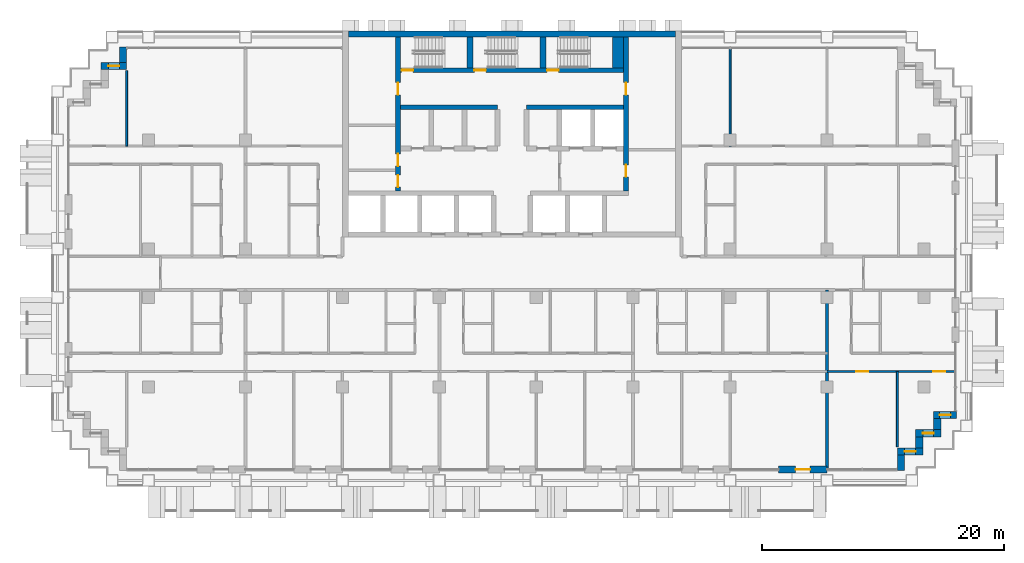
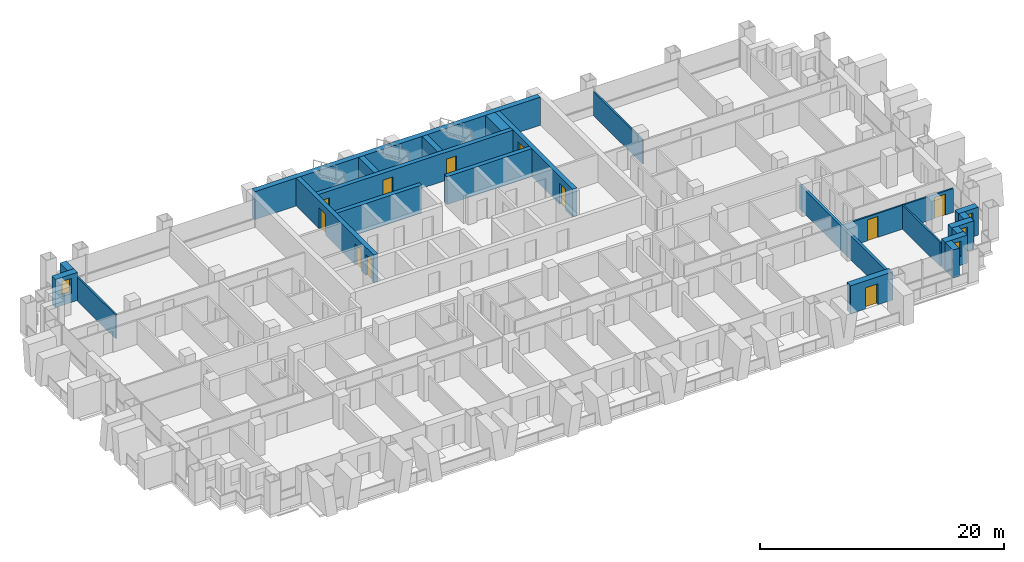
# One storey, part 13 of 19: 23 walls, 11 doors, 4 windows, 15 openings.
"""IFC4 building model written with IfcOpenShell, lengths in metres."""

from ifc_helpers import new_model, si_unit, direction, frame, frame_2d, origin, place, context, subcontext, project, spatial, rectangle, extrude, material, layer, layer_set, type_object, element, fill, save


model = new_model("IFC4")

# Units and contexts
model_context = context("Model", 3, precision=1e-05, world=origin(), true_north=direction((0.0, 1.0)))
body_context = subcontext(model_context, "Body", "Model", "MODEL_VIEW")
ifc_project = project(units=[si_unit("LENGTHUNIT", "METRE"), si_unit("AREAUNIT", "SQUARE_METRE"), si_unit("VOLUMEUNIT", "CUBIC_METRE"), si_unit("PLANEANGLEUNIT", "RADIAN"), si_unit("MASSUNIT", "GRAM", prefix="KILO")], contexts=[model_context])

# Site, building, storey
site_placement = place(None, origin())
site = spatial("IfcSite", under=ifc_project, at=site_placement, CompositionType="ELEMENT")
building_placement = place(site_placement, origin())
building = spatial("IfcBuilding", under=site, at=building_placement, Name="Vidyagriha Tower", CompositionType="ELEMENT")
storey_placement = place(building_placement, frame((0.0, 0.0, 60.800048828125)))
storey = spatial("IfcBuildingStorey", under=building, at=storey_placement, Name="L16", CompositionType="ELEMENT", Elevation=60.800048828125)

# Wall
ifc_material_1 = material(Name="Precast concrete C40/50 with brick facing", Category="concrete")
ifc_layer_1 = layer(ifc_material_1, 0.60009765625)
ifc_layer_set_1 = layer_set([ifc_layer_1], Name="Precast concrete C40/50 with brick facing")
wall_type_1 = type_object("IfcWallType", Name="Brick-faced precast wall 600", PredefinedType="STANDARD", material=ifc_layer_set_1)
wall_1_placement = place(storey_placement, frame((-32.10009765625, 18.679931640625, 0.0), z_axis=(0.0, 0.0, 1.0), x_axis=(0.0, -1.0, 0.0)))
element("IfcWall", 1, at=wall_1_placement, inside=storey, type_object=wall_type_1, Name="Stepped corner wall L16 R10", PredefinedType="STANDARD", context=body_context, shape_type="SweptSolid", body=[
    extrude(rectangle(XDim=1.280029296875, YDim=0.60009765625, at=frame_2d((0.64013671875, 0.0))), origin(), (0.0, 0.0, 1.0), 2.800048828125),
])

# Wall, opening, window
wall_2_placement = place(storey_placement, frame((-31.800048828125, 17.10009765625, 0.0), z_axis=(0.0, 0.0, 1.0), x_axis=(-1.0, 0.0, 0.0)))
wall_2 = element("IfcWall", 2, at=wall_2_placement, inside=storey, type_object=wall_type_1, Name="Stepped corner wall L16 R11", PredefinedType="STANDARD", context=body_context, shape_type="SweptSolid", body=[
    extrude(rectangle(XDim=2.099853515625, YDim=0.60009765625, at=frame_2d((1.0498046875, 0.0))), origin(), (0.0, 0.0, 1.0), 2.800048828125),
])
opening_1_placement = place(wall_2_placement, frame((0.60009765625, 0.0, 0.89990234375)))
opening_1 = element("IfcOpeningElement", 3, at=opening_1_placement, cuts=wall_2, Name="Opening WN1", PredefinedType="OPENING", context=body_context, shape_type="SweptSolid", body=[
    extrude(rectangle(XDim=0.89990234375, YDim=1.5, at=frame_2d((0.449951171875, 0.75))), frame((0.0, 0.31005859375, 0.0), z_axis=(0.0, -1.0, 0.0), x_axis=(1.0, 0.0, 0.0)), (0.0, 0.0, 1.0), 0.6201171875),
])
ifc_material_2 = material(Name="Aluminium and glass window", Category="aluminium")
window_type = type_object("IfcWindowType", Name="Reveal window 900x1500", PartitioningType="NOTDEFINED", PredefinedType="WINDOW", material=ifc_material_2)
window_1_placement = place(opening_1_placement, origin())
window_1 = element("IfcWindow", 4, at=window_1_placement, inside=storey, type_object=window_type, Name="Reveal window L16 R11", OverallHeight=1.5, OverallWidth=0.89990234375, PartitioningType="SINGLE_PANEL", PredefinedType="WINDOW", context=body_context, shape_type="SweptSolid", body=[
    extrude(rectangle(XDim=0.89990234375, YDim=1.5, at=frame_2d((0.449951171875, 0.75))), frame((0.0, 0.030029296875, 0.0), z_axis=(0.0, -1.0, 0.0), x_axis=(1.0, 0.0, 0.0)), (0.0, 0.0, 1.0), 0.06005859375),
])
fill(opening_1, window_1)

# Wall, opening, door
wall_3_placement = place(storey_placement, frame((22.0, -16.199951171875, 0.0)))
wall_3 = element("IfcWall", 5, at=wall_3_placement, inside=storey, type_object=wall_type_1, Name="Brick door bay wall L16 R23.15", PredefinedType="STANDARD", context=body_context, shape_type="SweptSolid", body=[
    extrude(rectangle(XDim=4.0, YDim=0.60009765625, at=frame_2d((2.0, 0.0))), origin(), (0.0, 0.0, 1.0), 2.800048828125),
])
opening_2_placement = place(wall_3_placement, frame((1.39990234375, 0.0, 0.0)))
opening_2 = element("IfcOpeningElement", 6, at=opening_2_placement, cuts=wall_3, Name="Opening D16-89", PredefinedType="OPENING", context=body_context, shape_type="SweptSolid", body=[
    extrude(rectangle(XDim=1.199951171875, YDim=2.10009765625, at=frame_2d((0.60009765625, 1.050048828125))), frame((0.0, 0.31005859375, 0.0), z_axis=(0.0, -1.0, 0.0), x_axis=(1.0, 0.0, 0.0)), (0.0, 0.0, 1.0), 0.6201171875),
])
ifc_material_3 = material(Name="Aluminium framed glazed sliding door", Category="aluminium")
door_type_1 = type_object("IfcDoorType", Name="Balcony sliding door 1200x2100", OperationType="NOTDEFINED", PredefinedType="DOOR", material=ifc_material_3)
door_1_placement = place(opening_2_placement, origin())
door_1 = element("IfcDoor", 7, at=door_1_placement, inside=storey, type_object=door_type_1, Name="Door D16-89", OperationType="SLIDING_TO_LEFT", OverallHeight=2.10009765625, OverallWidth=1.199951171875, PredefinedType="DOOR", context=body_context, shape_type="SweptSolid", body=[
    extrude(rectangle(XDim=1.199951171875, YDim=2.10009765625, at=frame_2d((0.60009765625, 1.050048828125))), frame((0.0, 0.02490234375, 0.0), z_axis=(0.0, -1.0, 0.0), x_axis=(1.0, 0.0, 0.0)), (0.0, 0.0, 1.0), 0.050048828125),
])
fill(opening_2, door_1)

# Wall
wall_4_placement = place(storey_placement, frame((32.10009765625, -16.280029296875, 0.0), z_axis=(0.0, 0.0, 1.0), x_axis=(0.0, 1.0, 0.0)))
element("IfcWall", 8, at=wall_4_placement, inside=storey, type_object=wall_type_1, Name="Stepped corner wall L16 R24", PredefinedType="STANDARD", context=body_context, shape_type="SweptSolid", body=[
    extrude(rectangle(XDim=1.280029296875, YDim=0.60009765625, at=frame_2d((0.64013671875, 0.0))), origin(), (0.0, 0.0, 1.0), 2.800048828125),
])

# Wall, opening, window
wall_5_placement = place(storey_placement, frame((31.800048828125, -14.699951171875, 0.0)))
wall_5 = element("IfcWall", 9, at=wall_5_placement, inside=storey, type_object=wall_type_1, Name="Stepped corner wall L16 R25", PredefinedType="STANDARD", context=body_context, shape_type="SweptSolid", body=[
    extrude(rectangle(XDim=2.099853515625, YDim=0.60009765625, at=frame_2d((1.0498046875, 0.0))), origin(), (0.0, 0.0, 1.0), 2.800048828125),
])
opening_3_placement = place(wall_5_placement, frame((0.60009765625, 0.0, 0.89990234375)))
opening_3 = element("IfcOpeningElement", 10, at=opening_3_placement, cuts=wall_5, Name="Opening WN1", PredefinedType="OPENING", context=body_context, shape_type="SweptSolid", body=[
    extrude(rectangle(XDim=0.89990234375, YDim=1.5, at=frame_2d((0.449951171875, 0.75))), frame((0.0, 0.31005859375, 0.0), z_axis=(0.0, -1.0, 0.0), x_axis=(1.0, 0.0, 0.0)), (0.0, 0.0, 1.0), 0.6201171875),
])
window_2_placement = place(opening_3_placement, origin())
window_2 = element("IfcWindow", 11, at=window_2_placement, inside=storey, type_object=window_type, Name="Reveal window L16 R25", OverallHeight=1.5, OverallWidth=0.89990234375, PartitioningType="SINGLE_PANEL", PredefinedType="WINDOW", context=body_context, shape_type="SweptSolid", body=[
    extrude(rectangle(XDim=0.89990234375, YDim=1.5, at=frame_2d((0.449951171875, 0.75))), frame((0.0, 0.030029296875, 0.0), z_axis=(0.0, -1.0, 0.0), x_axis=(1.0, 0.0, 0.0)), (0.0, 0.0, 1.0), 0.06005859375),
])
fill(opening_3, window_2)

# Wall
wall_6_placement = place(storey_placement, frame((33.60009765625, -14.39990234375, 0.0), z_axis=(0.0, 0.0, 1.0), x_axis=(0.0, 1.0, 0.0)))
element("IfcWall", 12, at=wall_6_placement, inside=storey, type_object=wall_type_1, Name="Stepped corner wall L16 R26", PredefinedType="STANDARD", context=body_context, shape_type="SweptSolid", body=[
    extrude(rectangle(XDim=0.89990234375, YDim=0.60009765625, at=frame_2d((0.449951171875, 0.0))), origin(), (0.0, 0.0, 1.0), 2.800048828125),
])

# Wall, opening, window
wall_7_placement = place(storey_placement, frame((33.300048828125, -13.199951171875, 0.0)))
wall_7 = element("IfcWall", 13, at=wall_7_placement, inside=storey, type_object=wall_type_1, Name="Stepped corner wall L16 R27", PredefinedType="STANDARD", context=body_context, shape_type="SweptSolid", body=[
    extrude(rectangle(XDim=2.099853515625, YDim=0.60009765625, at=frame_2d((1.0498046875, 0.0))), origin(), (0.0, 0.0, 1.0), 2.800048828125),
])
opening_4_placement = place(wall_7_placement, frame((0.60009765625, 0.0, 0.89990234375)))
opening_4 = element("IfcOpeningElement", 14, at=opening_4_placement, cuts=wall_7, Name="Opening WN1", PredefinedType="OPENING", context=body_context, shape_type="SweptSolid", body=[
    extrude(rectangle(XDim=0.89990234375, YDim=1.5, at=frame_2d((0.449951171875, 0.75))), frame((0.0, 0.31005859375, 0.0), z_axis=(0.0, -1.0, 0.0), x_axis=(1.0, 0.0, 0.0)), (0.0, 0.0, 1.0), 0.6201171875),
])
window_3_placement = place(opening_4_placement, origin())
window_3 = element("IfcWindow", 15, at=window_3_placement, inside=storey, type_object=window_type, Name="Reveal window L16 R27", OverallHeight=1.5, OverallWidth=0.89990234375, PartitioningType="SINGLE_PANEL", PredefinedType="WINDOW", context=body_context, shape_type="SweptSolid", body=[
    extrude(rectangle(XDim=0.89990234375, YDim=1.5, at=frame_2d((0.449951171875, 0.75))), frame((0.0, 0.030029296875, 0.0), z_axis=(0.0, -1.0, 0.0), x_axis=(1.0, 0.0, 0.0)), (0.0, 0.0, 1.0), 0.06005859375),
])
fill(opening_4, window_3)

# Wall
wall_8_placement = place(storey_placement, frame((35.10009765625, -12.89990234375, 0.0), z_axis=(0.0, 0.0, 1.0), x_axis=(0.0, 1.0, 0.0)))
element("IfcWall", 16, at=wall_8_placement, inside=storey, type_object=wall_type_1, Name="Stepped corner wall L16 R28", PredefinedType="STANDARD", context=body_context, shape_type="SweptSolid", body=[
    extrude(rectangle(XDim=0.89990234375, YDim=0.60009765625, at=frame_2d((0.449951171875, 0.0))), origin(), (0.0, 0.0, 1.0), 2.800048828125),
])

# Wall, opening, window
wall_9_placement = place(storey_placement, frame((34.800048828125, -11.699951171875, 0.0)))
wall_9 = element("IfcWall", 17, at=wall_9_placement, inside=storey, type_object=wall_type_1, Name="Stepped corner wall L16 R29", PredefinedType="STANDARD", context=body_context, shape_type="SweptSolid", body=[
    extrude(rectangle(XDim=1.8798828125, YDim=0.60009765625, at=frame_2d((0.93994140625, 0.0))), origin(), (0.0, 0.0, 1.0), 2.800048828125),
])
opening_5_placement = place(wall_9_placement, frame((0.489990234375, 0.0, 0.89990234375)))
opening_5 = element("IfcOpeningElement", 18, at=opening_5_placement, cuts=wall_9, Name="Opening WN1", PredefinedType="OPENING", context=body_context, shape_type="SweptSolid", body=[
    extrude(rectangle(XDim=0.89990234375, YDim=1.5, at=frame_2d((0.449951171875, 0.75))), frame((0.0, 0.31005859375, 0.0), z_axis=(0.0, -1.0, 0.0), x_axis=(1.0, 0.0, 0.0)), (0.0, 0.0, 1.0), 0.6201171875),
])
window_4_placement = place(opening_5_placement, origin())
window_4 = element("IfcWindow", 19, at=window_4_placement, inside=storey, type_object=window_type, Name="Reveal window L16 R29", OverallHeight=1.5, OverallWidth=0.89990234375, PartitioningType="SINGLE_PANEL", PredefinedType="WINDOW", context=body_context, shape_type="SweptSolid", body=[
    extrude(rectangle(XDim=0.89990234375, YDim=1.5, at=frame_2d((0.449951171875, 0.75))), frame((0.0, 0.030029296875, 0.0), z_axis=(0.0, -1.0, 0.0), x_axis=(1.0, 0.0, 0.0)), (0.0, 0.0, 1.0), 0.06005859375),
])
fill(opening_5, window_4)

# Wall, openings, doors
ifc_material_4 = material(Name="Concrete C60/75", Category="concrete")
ifc_layer_2 = layer(ifc_material_4, 0.39990234375)
ifc_layer_set_2 = layer_set([ifc_layer_2], Name="Concrete C60/75")
wall_type_2 = type_object("IfcWallType", Name="Core shear wall 400 mm", PredefinedType="SHEAR", material=ifc_layer_set_2)
wall_10_placement = place(storey_placement, frame((-9.39990234375, 6.800048828125, 0.0), z_axis=(0.0, 0.0, 1.0), x_axis=(0.0, 1.0, 0.0)))
wall_10 = element("IfcWall", 20, at=wall_10_placement, inside=storey, type_object=wall_type_2, Name="Core west spine wall", PredefinedType="SHEAR", context=body_context, shape_type="SweptSolid", body=[
    extrude(rectangle(XDim=12.699951171875, YDim=0.39990234375, at=frame_2d((6.35009765625, 0.0))), origin(), (0.0, 0.0, 1.0), 2.800048828125),
])
opening_6_placement = place(wall_10_placement, frame((0.300048828125, 0.0, 0.0)))
opening_6 = element("IfcOpeningElement", 21, at=opening_6_placement, cuts=wall_10, Name="Opening D16-10", PredefinedType="OPENING", context=body_context, shape_type="SweptSolid", body=[
    extrude(rectangle(XDim=1.0, YDim=2.10009765625, at=frame_2d((0.5, 1.050048828125))), frame((0.0, 0.2099609375, 0.0), z_axis=(0.0, -1.0, 0.0), x_axis=(1.0, 0.0, 0.0)), (0.0, 0.0, 1.0), 0.419921875),
])
opening_7_placement = place(wall_10_placement, frame((2.050048828125, 0.0, 0.0)))
opening_7 = element("IfcOpeningElement", 22, at=opening_7_placement, cuts=wall_10, Name="Opening D16-11", PredefinedType="OPENING", context=body_context, shape_type="SweptSolid", body=[
    extrude(rectangle(XDim=1.0, YDim=2.10009765625, at=frame_2d((0.5, 1.050048828125))), frame((0.0, 0.2099609375, 0.0), z_axis=(0.0, -1.0, 0.0), x_axis=(1.0, 0.0, 0.0)), (0.0, 0.0, 1.0), 0.419921875),
])
opening_8_placement = place(wall_10_placement, frame((7.925048828125, 0.0, 0.0)))
opening_8 = element("IfcOpeningElement", 23, at=opening_8_placement, cuts=wall_10, Name="Opening D16-12", PredefinedType="OPENING", context=body_context, shape_type="SweptSolid", body=[
    extrude(rectangle(XDim=1.0, YDim=2.10009765625, at=frame_2d((0.5, 1.050048828125))), frame((0.0, 0.2099609375, 0.0), z_axis=(0.0, -1.0, 0.0), x_axis=(1.0, 0.0, 0.0)), (0.0, 0.0, 1.0), 0.419921875),
])
ifc_material_5 = material(Name="Hollow metal door leaf")
door_type_2 = type_object("IfcDoorType", Name="Core room door 1000 x 2100 mm EI 60", OperationType="NOTDEFINED", PredefinedType="DOOR", material=ifc_material_5)
door_2_placement = place(opening_6_placement, frame((1.0, 0.0, 0.0), z_axis=(0.0, 0.0, 1.0), x_axis=(-1.0, 0.0, 0.0)))
door_2 = element("IfcDoor", 24, at=door_2_placement, inside=storey, type_object=door_type_2, Name="Door Electrical Room 16.W1", OperationType="SINGLE_SWING_RIGHT", OverallHeight=2.10009765625, OverallWidth=1.0, PredefinedType="DOOR", context=body_context, shape_type="SweptSolid", body=[
    extrude(rectangle(XDim=1.0, YDim=2.10009765625, at=frame_2d((0.5, 1.050048828125))), frame((0.0, 0.02490234375, 0.0), z_axis=(0.0, -1.0, 0.0), x_axis=(1.0, 0.0, 0.0)), (0.0, 0.0, 1.0), 0.050048828125),
])
fill(opening_6, door_2)
door_3_placement = place(opening_7_placement, frame((1.0, 0.0, 0.0), z_axis=(0.0, 0.0, 1.0), x_axis=(-1.0, 0.0, 0.0)))
door_3 = element("IfcDoor", 25, at=door_3_placement, inside=storey, type_object=door_type_2, Name="Door Refuse Room 16.W2", OperationType="SINGLE_SWING_LEFT", OverallHeight=2.10009765625, OverallWidth=1.0, PredefinedType="DOOR", context=body_context, shape_type="SweptSolid", body=[
    extrude(rectangle(XDim=1.0, YDim=2.10009765625, at=frame_2d((0.5, 1.050048828125))), frame((0.0, 0.02490234375, 0.0), z_axis=(0.0, -1.0, 0.0), x_axis=(1.0, 0.0, 0.0)), (0.0, 0.0, 1.0), 0.050048828125),
])
fill(opening_7, door_3)
door_4_placement = place(opening_8_placement, frame((1.0, 0.0, 0.0), z_axis=(0.0, 0.0, 1.0), x_axis=(-1.0, 0.0, 0.0)))
door_4 = element("IfcDoor", 26, at=door_4_placement, inside=storey, type_object=door_type_2, Name="Door Mechanical Riser Room 16.W3", OperationType="SINGLE_SWING_LEFT", OverallHeight=2.10009765625, OverallWidth=1.0, PredefinedType="DOOR", context=body_context, shape_type="SweptSolid", body=[
    extrude(rectangle(XDim=1.0, YDim=2.10009765625, at=frame_2d((0.5, 1.050048828125))), frame((0.0, 0.02490234375, 0.0), z_axis=(0.0, -1.0, 0.0), x_axis=(1.0, 0.0, 0.0)), (0.0, 0.0, 1.0), 0.050048828125),
])
fill(opening_8, door_4)

wall_11_placement = place(storey_placement, frame((9.39990234375, 6.800048828125, 0.0), z_axis=(0.0, 0.0, 1.0), x_axis=(0.0, 1.0, 0.0)))
wall_11 = element("IfcWall", 27, at=wall_11_placement, inside=storey, type_object=wall_type_2, Name="Core east spine wall", PredefinedType="SHEAR", context=body_context, shape_type="SweptSolid", body=[
    extrude(rectangle(XDim=12.699951171875, YDim=0.39990234375, at=frame_2d((6.35009765625, 0.0))), origin(), (0.0, 0.0, 1.0), 2.800048828125),
])
opening_9_placement = place(wall_11_placement, frame((1.14990234375, 0.0, 0.0)))
opening_9 = element("IfcOpeningElement", 28, at=opening_9_placement, cuts=wall_11, Name="Opening D16-13", PredefinedType="OPENING", context=body_context, shape_type="SweptSolid", body=[
    extrude(rectangle(XDim=1.0, YDim=2.10009765625, at=frame_2d((0.5, 1.050048828125))), frame((0.0, 0.2099609375, 0.0), z_axis=(0.0, -1.0, 0.0), x_axis=(1.0, 0.0, 0.0)), (0.0, 0.0, 1.0), 0.419921875),
])
opening_10_placement = place(wall_11_placement, frame((7.925048828125, 0.0, 0.0)))
opening_10 = element("IfcOpeningElement", 29, at=opening_10_placement, cuts=wall_11, Name="Opening D16-14", PredefinedType="OPENING", context=body_context, shape_type="SweptSolid", body=[
    extrude(rectangle(XDim=1.0, YDim=2.10009765625, at=frame_2d((0.5, 1.050048828125))), frame((0.0, 0.2099609375, 0.0), z_axis=(0.0, -1.0, 0.0), x_axis=(1.0, 0.0, 0.0)), (0.0, 0.0, 1.0), 0.419921875),
])
door_5_placement = place(opening_9_placement, origin())
door_5 = element("IfcDoor", 30, at=door_5_placement, inside=storey, type_object=door_type_2, Name="Door Cleaners Store 16.E1", OperationType="SINGLE_SWING_RIGHT", OverallHeight=2.10009765625, OverallWidth=1.0, PredefinedType="DOOR", context=body_context, shape_type="SweptSolid", body=[
    extrude(rectangle(XDim=1.0, YDim=2.10009765625, at=frame_2d((0.5, 1.050048828125))), frame((0.0, 0.02490234375, 0.0), z_axis=(0.0, -1.0, 0.0), x_axis=(1.0, 0.0, 0.0)), (0.0, 0.0, 1.0), 0.050048828125),
])
fill(opening_9, door_5)
door_6_placement = place(opening_10_placement, origin())
door_6 = element("IfcDoor", 31, at=door_6_placement, inside=storey, type_object=door_type_2, Name="Door Pressurisation Plant Room 16.E2", OperationType="SINGLE_SWING_LEFT", OverallHeight=2.10009765625, OverallWidth=1.0, PredefinedType="DOOR", context=body_context, shape_type="SweptSolid", body=[
    extrude(rectangle(XDim=1.0, YDim=2.10009765625, at=frame_2d((0.5, 1.050048828125))), frame((0.0, 0.02490234375, 0.0), z_axis=(0.0, -1.0, 0.0), x_axis=(1.0, 0.0, 0.0)), (0.0, 0.0, 1.0), 0.050048828125),
])
fill(opening_10, door_6)

# Walls
for number, where, name in (
    (32, (-9.199951171875, 13.699951171875, 0.0), "Core row N rear wall"),
    (33, (1.199951171875, 13.699951171875, 0.0), "Core row N rear wall"),
):
    element("IfcWall", number, at=place(storey_placement, frame(where)), inside=storey, type_object=wall_type_2, Name=name, PredefinedType="SHEAR", context=body_context, shape_type="SweptSolid", body=[
        extrude(rectangle(XDim=8.0, YDim=0.39990234375, at=frame_2d((4.0, 0.0))), origin(), (0.0, 0.0, 1.0), 2.800048828125),
    ])

# Wall, openings, doors
wall_12_placement = place(storey_placement, frame((-9.199951171875, 16.75, 0.0)))
wall_12 = element("IfcWall", 34, at=wall_12_placement, inside=storey, type_object=wall_type_2, Name="Stair front wall", PredefinedType="SHEAR", context=body_context, shape_type="SweptSolid", body=[
    extrude(rectangle(XDim=18.39990234375, YDim=0.39990234375, at=frame_2d((9.199951171875, 0.0))), origin(), (0.0, 0.0, 1.0), 2.800048828125),
])
opening_11_placement = place(wall_12_placement, frame((0.10009765625, 0.0, 0.0)))
opening_11 = element("IfcOpeningElement", 35, at=opening_11_placement, cuts=wall_12, Name="Opening D16-07", PredefinedType="OPENING", context=body_context, shape_type="SweptSolid", body=[
    extrude(rectangle(XDim=0.949951171875, YDim=2.10009765625, at=frame_2d((0.47509765625, 1.050048828125))), frame((0.0, 0.2099609375, 0.0), z_axis=(0.0, -1.0, 0.0), x_axis=(1.0, 0.0, 0.0)), (0.0, 0.0, 1.0), 0.419921875),
])
opening_12_placement = place(wall_12_placement, frame((6.10009765625, 0.0, 0.0)))
opening_12 = element("IfcOpeningElement", 36, at=opening_12_placement, cuts=wall_12, Name="Opening D16-08", PredefinedType="OPENING", context=body_context, shape_type="SweptSolid", body=[
    extrude(rectangle(XDim=0.949951171875, YDim=2.10009765625, at=frame_2d((0.47509765625, 1.050048828125))), frame((0.0, 0.2099609375, 0.0), z_axis=(0.0, -1.0, 0.0), x_axis=(1.0, 0.0, 0.0)), (0.0, 0.0, 1.0), 0.419921875),
])
opening_13_placement = place(wall_12_placement, frame((12.10009765625, 0.0, 0.0)))
opening_13 = element("IfcOpeningElement", 37, at=opening_13_placement, cuts=wall_12, Name="Opening D16-09", PredefinedType="OPENING", context=body_context, shape_type="SweptSolid", body=[
    extrude(rectangle(XDim=0.949951171875, YDim=2.10009765625, at=frame_2d((0.47509765625, 1.050048828125))), frame((0.0, 0.2099609375, 0.0), z_axis=(0.0, -1.0, 0.0), x_axis=(1.0, 0.0, 0.0)), (0.0, 0.0, 1.0), 0.419921875),
])
ifc_material_6 = material(Name="Hollow metal door leaf")
door_type_3 = type_object("IfcDoorType", Name="Exit stair door 950 x 2100 mm EI 90", OperationType="NOTDEFINED", PredefinedType="DOOR", material=ifc_material_6)
door_7_placement = place(opening_11_placement, origin())
door_7 = element("IfcDoor", 38, at=door_7_placement, inside=storey, type_object=door_type_3, Name="Stair door ST1 L16", OperationType="SINGLE_SWING_LEFT", OverallHeight=2.10009765625, OverallWidth=0.949951171875, PredefinedType="DOOR", context=body_context, shape_type="SweptSolid", body=[
    extrude(rectangle(XDim=0.949951171875, YDim=2.10009765625, at=frame_2d((0.47509765625, 1.050048828125))), frame((0.0, 0.02490234375, 0.0), z_axis=(0.0, -1.0, 0.0), x_axis=(1.0, 0.0, 0.0)), (0.0, 0.0, 1.0), 0.050048828125),
])
fill(opening_11, door_7)
door_8_placement = place(opening_12_placement, origin())
door_8 = element("IfcDoor", 39, at=door_8_placement, inside=storey, type_object=door_type_3, Name="Stair door ST2 L16", OperationType="SINGLE_SWING_LEFT", OverallHeight=2.10009765625, OverallWidth=0.949951171875, PredefinedType="DOOR", context=body_context, shape_type="SweptSolid", body=[
    extrude(rectangle(XDim=0.949951171875, YDim=2.10009765625, at=frame_2d((0.47509765625, 1.050048828125))), frame((0.0, 0.02490234375, 0.0), z_axis=(0.0, -1.0, 0.0), x_axis=(1.0, 0.0, 0.0)), (0.0, 0.0, 1.0), 0.050048828125),
])
fill(opening_12, door_8)
door_9_placement = place(opening_13_placement, origin())
door_9 = element("IfcDoor", 40, at=door_9_placement, inside=storey, type_object=door_type_3, Name="Stair door ST3 L16", OperationType="SINGLE_SWING_LEFT", OverallHeight=2.10009765625, OverallWidth=0.949951171875, PredefinedType="DOOR", context=body_context, shape_type="SweptSolid", body=[
    extrude(rectangle(XDim=0.949951171875, YDim=2.10009765625, at=frame_2d((0.47509765625, 1.050048828125))), frame((0.0, 0.02490234375, 0.0), z_axis=(0.0, -1.0, 0.0), x_axis=(1.0, 0.0, 0.0)), (0.0, 0.0, 1.0), 0.050048828125),
])
fill(opening_13, door_9)

# Walls
ifc_material_7 = material(Name="Concrete C60/75", Category="concrete")
ifc_layer_3 = layer(ifc_material_7, 0.5)
ifc_layer_set_3 = layer_set([ifc_layer_3], Name="Concrete C60/75")
wall_type_3 = type_object("IfcWallType", Name="Core shear wall 500 mm", PredefinedType="SHEAR", material=ifc_layer_set_3)
wall_13_placement = place(storey_placement, frame((-13.5, 19.75, 0.0)))
element("IfcWall", 41, at=wall_13_placement, inside=storey, type_object=wall_type_3, Name="Core north wall", PredefinedType="SHEAR", context=body_context, shape_type="SweptSolid", body=[
    extrude(rectangle(XDim=27.0, YDim=0.5, at=frame_2d((13.5, 0.0))), origin(), (0.0, 0.0, 1.0), 2.800048828125),
])
for number, where, z_axis, x_axis, name in (
    (42, (-3.449951171875, 16.949951171875, 0.0), (0.0, 0.0, 1.0), (0.0, 1.0, 0.0), "Stair partition wall 1"),
    (43, (2.550048828125, 16.949951171875, 0.0), (0.0, 0.0, 1.0), (0.0, 1.0, 0.0), "Stair partition wall 2"),
):
    element("IfcWall", number, at=place(storey_placement, frame(where, z_axis=z_axis, x_axis=x_axis)), inside=storey, type_object=wall_type_3, Name=name, PredefinedType="SHEAR", context=body_context, shape_type="SweptSolid", body=[
        extrude(rectangle(XDim=2.550048828125, YDim=0.5, at=frame_2d((1.27490234375, 0.0))), origin(), (0.0, 0.0, 1.0), 2.800048828125),
    ])
ifc_material_8 = material(Name="Concrete C60/75", Category="concrete")
ifc_layer_4 = layer(ifc_material_8, 0.89990234375)
ifc_layer_set_4 = layer_set([ifc_layer_4], Name="Concrete C60/75")
wall_type_4 = type_object("IfcWallType", Name="Core shear wall 900 mm", PredefinedType="SHEAR", material=ifc_layer_set_4)
wall_14_placement = place(storey_placement, frame((8.75, 16.949951171875, 0.0), z_axis=(0.0, 0.0, 1.0), x_axis=(0.0, 1.0, 0.0)))
element("IfcWall", 44, at=wall_14_placement, inside=storey, type_object=wall_type_4, Name="Stair end wall", PredefinedType="SHEAR", context=body_context, shape_type="SweptSolid", body=[
    extrude(rectangle(XDim=2.550048828125, YDim=0.89990234375, at=frame_2d((1.27490234375, 0.0))), origin(), (0.0, 0.0, 1.0), 2.800048828125),
])
ifc_material_9 = material(Name="Fired clay brick masonry", Category="masonry")
ifc_layer_5 = layer(ifc_material_9, 0.25)
ifc_layer_set_5 = layer_set([ifc_layer_5], Name="Fired clay brick masonry")
wall_type_5 = type_object("IfcWallType", Name="Fired clay brick demising wall 250", PredefinedType="PARTITIONING", material=ifc_layer_set_5)
wall_15_placement = place(storey_placement, frame((26.0, -1.39990234375, 0.0), z_axis=(0.0, 0.0, 1.0), x_axis=(0.0, -1.0, 0.0)))
element("IfcWall", 45, at=wall_15_placement, inside=storey, type_object=wall_type_5, Name="Wall all-L16-w088", PredefinedType="PARTITIONING", context=body_context, shape_type="SweptSolid", body=[
    extrude(rectangle(XDim=14.710205078125, YDim=0.25, at=frame_2d((7.35498046875, 0.0))), origin(), (0.0, 0.0, 1.0), 2.39990234375),
])

# Wall, openings, doors
ifc_material_10 = material(Name="Gypsum board partition")
ifc_layer_6 = layer(ifc_material_10, 0.14990234375)
ifc_layer_set_6 = layer_set([ifc_layer_6], Name="Gypsum board partition")
wall_type_6 = type_object("IfcWallType", Name="Gypsum board partition 150", PredefinedType="PARTITIONING", material=ifc_layer_set_6)
wall_16_placement = place(storey_placement, frame((36.52001953125, -8.10009765625, 0.0), z_axis=(0.0, 0.0, 1.0), x_axis=(-1.0, 0.0, 0.0)))
wall_16 = element("IfcWall", 46, at=wall_16_placement, inside=storey, type_object=wall_type_6, Name="Wall all-L16-w083", PredefinedType="PARTITIONING", context=body_context, shape_type="SweptSolid", body=[
    extrude(rectangle(XDim=10.52001953125, YDim=0.14990234375, at=frame_2d((5.260009765625, 0.0))), origin(), (0.0, 0.0, 1.0), 2.39990234375),
])
opening_14_placement = place(wall_16_placement, frame((7.1201171875, 0.0, 0.0)))
opening_14 = element("IfcOpeningElement", 47, at=opening_14_placement, cuts=wall_16, Name="Opening D16-54", PredefinedType="OPENING", context=body_context, shape_type="SweptSolid", body=[
    extrude(rectangle(XDim=1.0, YDim=2.10009765625, at=frame_2d((0.5, 1.050048828125))), frame((0.0, 0.0849609375, 0.0), z_axis=(0.0, -1.0, 0.0), x_axis=(1.0, 0.0, 0.0)), (0.0, 0.0, 1.0), 0.169921875),
])
opening_15_placement = place(wall_16_placement, frame((0.760009765625, 0.0, 0.0)))
opening_15 = element("IfcOpeningElement", 48, at=opening_15_placement, cuts=wall_16, Name="Opening D16-55", PredefinedType="OPENING", context=body_context, shape_type="SweptSolid", body=[
    extrude(rectangle(XDim=1.0, YDim=2.10009765625, at=frame_2d((0.5, 1.050048828125))), frame((0.0, 0.0849609375, 0.0), z_axis=(0.0, -1.0, 0.0), x_axis=(1.0, 0.0, 0.0)), (0.0, 0.0, 1.0), 0.169921875),
])
ifc_material_11 = material(Name="Timber door leaf", Category="wood")
door_type_4 = type_object("IfcDoorType", Name="Room door 1000x2100", OperationType="NOTDEFINED", PredefinedType="DOOR", material=ifc_material_11)
door_10_placement = place(opening_14_placement, origin())
door_10 = element("IfcDoor", 49, at=door_10_placement, inside=storey, type_object=door_type_4, Name="Door D16-54", OperationType="SINGLE_SWING_RIGHT", OverallHeight=2.10009765625, OverallWidth=1.0, PredefinedType="DOOR", context=body_context, shape_type="SweptSolid", body=[
    extrude(rectangle(XDim=1.0, YDim=2.10009765625, at=frame_2d((0.5, 1.050048828125))), frame((0.0, 0.02490234375, 0.0), z_axis=(0.0, -1.0, 0.0), x_axis=(1.0, 0.0, 0.0)), (0.0, 0.0, 1.0), 0.050048828125),
])
fill(opening_14, door_10)
door_11_placement = place(opening_15_placement, origin())
door_11 = element("IfcDoor", 50, at=door_11_placement, inside=storey, type_object=door_type_4, Name="Door D16-55", OperationType="SINGLE_SWING_LEFT", OverallHeight=2.10009765625, OverallWidth=1.0, PredefinedType="DOOR", context=body_context, shape_type="SweptSolid", body=[
    extrude(rectangle(XDim=1.0, YDim=2.10009765625, at=frame_2d((0.5, 1.050048828125))), frame((0.0, 0.02490234375, 0.0), z_axis=(0.0, -1.0, 0.0), x_axis=(1.0, 0.0, 0.0)), (0.0, 0.0, 1.0), 0.050048828125),
])
fill(opening_15, door_11)

# Walls
for number, where, z_axis, x_axis, name in (
    (51, (31.800048828125, -8.10009765625, 0.0), (0.0, 0.0, 1.0), (0.0, -1.0, 0.0), "Wall all-L16-w086"),
    (52, (-31.800048828125, 16.719970703125, 0.0), (0.0, 0.0, 1.0), (0.0, -1.0, 0.0), "Wall all-L16-w105"),
):
    element("IfcWall", number, at=place(storey_placement, frame(where, z_axis=z_axis, x_axis=x_axis)), inside=storey, type_object=wall_type_6, Name=name, PredefinedType="PARTITIONING", context=body_context, shape_type="SweptSolid", body=[
        extrude(rectangle(XDim=6.219970703125, YDim=0.14990234375, at=frame_2d((3.10986328125, 0.0))), origin(), (0.0, 0.0, 1.0), 2.39990234375),
    ])
wall_17_placement = place(storey_placement, frame((18.0, 18.52099609375, 0.0), z_axis=(0.0, 0.0, 1.0), x_axis=(0.0, -1.0, 0.0)))
element("IfcWall", 53, at=wall_17_placement, inside=storey, type_object=wall_type_6, Name="Wall all-L16-w136", PredefinedType="PARTITIONING", context=body_context, shape_type="SweptSolid", body=[
    extrude(rectangle(XDim=8.02099609375, YDim=0.14990234375, at=frame_2d((4.010498046875, 0.0))), origin(), (0.0, 0.0, 1.0), 2.39990234375),
])

save(model, "model.ifc")
